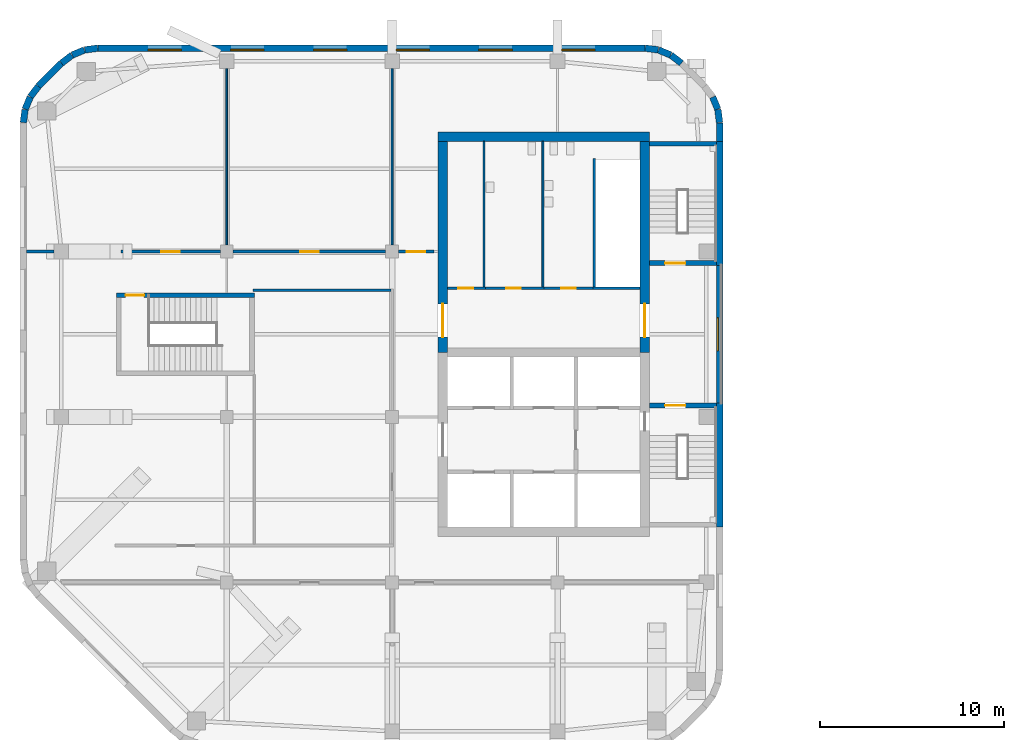
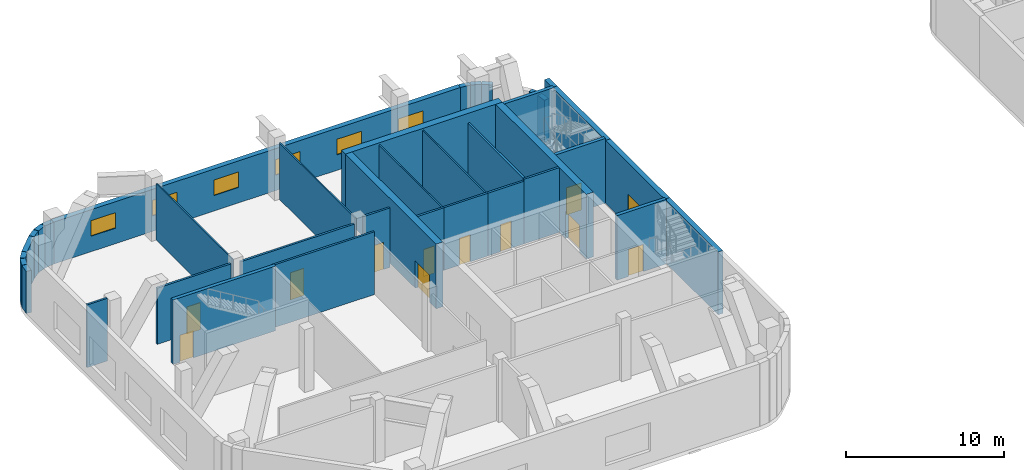
# One storey, part 6 of 14: 38 walls, 11 doors, 7 windows, 18 openings.
"""IFC4 building model written with IfcOpenShell, lengths in metres."""

from ifc_helpers import new_model, si_unit, direction, frame, frame_2d, origin, place, context, subcontext, project, spatial, rectangle, extrude, material, layer, layer_set, type_object, element, fill, save


model = new_model("IFC4")

# Units and contexts
model_context = context("Model", 3, precision=1e-05, world=origin(), true_north=direction((0.0, 1.0)))
body_context = subcontext(model_context, "Body", "Model", "MODEL_VIEW")
ifc_project = project(units=[si_unit("LENGTHUNIT", "METRE"), si_unit("AREAUNIT", "SQUARE_METRE"), si_unit("VOLUMEUNIT", "CUBIC_METRE"), si_unit("PLANEANGLEUNIT", "RADIAN"), si_unit("MASSUNIT", "GRAM", prefix="KILO")], contexts=[model_context])

# Site, building, storey
site_placement = place(None, origin())
site = spatial("IfcSite", under=ifc_project, at=site_placement, CompositionType="ELEMENT")
building_placement = place(site_placement, origin())
building = spatial("IfcBuilding", under=site, at=building_placement, Name="Cinnabar Reach Civic Tower", CompositionType="ELEMENT")
storey_placement = place(building_placement, frame((0.0, 0.0, 95.0)))
storey = spatial("IfcBuildingStorey", under=building, at=storey_placement, Name="L22", CompositionType="ELEMENT", Elevation=95.0)

# Walls
ifc_material_1 = material(Name="Facing brick with insulated backing", Category="masonry")
ifc_layer_1 = layer(ifc_material_1, 0.36)
ifc_layer_set_1 = layer_set([ifc_layer_1], Name="Brick corner wall")
wall_type_1 = type_object("IfcWallType", Name="Brick corner wall", PredefinedType="STANDARD", material=ifc_layer_set_1)
for number, where, z_axis, x_axis, name in (
    (1, (-27.183, 43.0186, 0.0), (0.0, 0.0, 1.0), (-0.13055608231, 0.99144092581, 0.0), "Brick corner wall"),
    (2, (-27.2819, 43.7473, 0.0), (0.0, 0.0, 1.0), (-0.382702709855, 0.923871547278, 0.0), "Brick corner wall"),
):
    element("IfcWall", number, at=place(storey_placement, frame(where, z_axis=z_axis, x_axis=x_axis)), inside=storey, type_object=wall_type_1, Name=name, PredefinedType="STANDARD", context=body_context, shape_type="SweptSolid", body=[
        extrude(rectangle(XDim=0.7131, YDim=0.36, at=frame_2d((0.3565, 0.0))), origin(), (0.0, 0.0, 1.0), 3.25),
    ])
wall_1_placement = place(storey_placement, frame((-29.2587, 46.2498, 0.0), z_axis=(0.0, 0.0, 1.0), x_axis=(-0.793321924995, 0.608802368033, 0.0)))
element("IfcWall", 3, at=wall_1_placement, inside=storey, type_object=wall_type_1, Name="Brick corner wall", PredefinedType="STANDARD", context=body_context, shape_type="SweptSolid", body=[
    extrude(rectangle(XDim=0.7132, YDim=0.36, at=frame_2d((0.3566, 0.0))), origin(), (0.0, 0.0, 1.0), 3.25),
])
for number, where, z_axis, x_axis, name in (
    (4, (-29.8439, 46.6952, 0.0), (0.0, 0.0, 1.0), (-0.923871547278, 0.382702709855, 0.0), "Brick corner wall"),
    (5, (-30.5244, 46.9739, 0.0), (0.0, 0.0, 1.0), (-0.99144092581, 0.13055608231, 0.0), "Brick corner wall"),
    (6, (-61.0186, 47.067, 0.0), (0.0, 0.0, 1.0), (-0.99144092581, -0.13055608231, 0.0), "Brick corner wall"),
    (7, (-61.7473, 46.9681, 0.0), (0.0, 0.0, 1.0), (-0.923871547278, -0.382702709855, 0.0), "Brick corner wall"),
):
    element("IfcWall", number, at=place(storey_placement, frame(where, z_axis=z_axis, x_axis=x_axis)), inside=storey, type_object=wall_type_1, Name=name, PredefinedType="STANDARD", context=body_context, shape_type="SweptSolid", body=[
        extrude(rectangle(XDim=0.7131, YDim=0.36, at=frame_2d((0.3565, 0.0))), origin(), (0.0, 0.0, 1.0), 3.25),
    ])
for number, where, z_axis, x_axis, name in (
    (8, (-62.4255, 46.684, 0.0), (0.0, 0.0, 1.0), (-0.793321924995, -0.608802368033, 0.0), "Brick corner wall"),
    (9, (-64.2498, 44.9913, 0.0), (0.0, 0.0, 1.0), (-0.608802368033, -0.793321924995, 0.0), "Brick corner wall"),
):
    element("IfcWall", number, at=place(storey_placement, frame(where, z_axis=z_axis, x_axis=x_axis)), inside=storey, type_object=wall_type_1, Name=name, PredefinedType="STANDARD", context=body_context, shape_type="SweptSolid", body=[
        extrude(rectangle(XDim=0.7132, YDim=0.36, at=frame_2d((0.3566, 0.0))), origin(), (0.0, 0.0, 1.0), 3.25),
    ])
for number, where, z_axis, x_axis, name in (
    (10, (-64.6952, 44.4061, 0.0), (0.0, 0.0, 1.0), (-0.382702709855, -0.923871547278, 0.0), "Brick corner wall"),
    (11, (-64.9739, 43.7256, 0.0), (0.0, 0.0, 1.0), (-0.13055608231, -0.99144092581, 0.0), "Brick corner wall"),
):
    element("IfcWall", number, at=place(storey_placement, frame(where, z_axis=z_axis, x_axis=x_axis)), inside=storey, type_object=wall_type_1, Name=name, PredefinedType="STANDARD", context=body_context, shape_type="SweptSolid", body=[
        extrude(rectangle(XDim=0.7131, YDim=0.36, at=frame_2d((0.3565, 0.0))), origin(), (0.0, 0.0, 1.0), 3.25),
    ])
ifc_layer_2 = layer(ifc_material_1, 0.36)
ifc_layer_set_2 = layer_set([ifc_layer_2], Name="Brick pier and spandrel wall")
wall_type_2 = type_object("IfcWallType", Name="Brick pier and spandrel wall", PredefinedType="STANDARD", material=ifc_layer_set_2)
wall_2_placement = place(storey_placement, frame((-27.18, 21.0, 0.0), z_axis=(0.0, 0.0, 1.0), x_axis=(0.0, 1.0, 0.0)))
element("IfcWall", 12, at=wall_2_placement, inside=storey, type_object=wall_type_2, Name="Brick facade wall", PredefinedType="STANDARD", context=body_context, shape_type="SweptSolid", body=[
    extrude(rectangle(XDim=6.75, YDim=0.36, at=frame_2d((3.375, 0.0))), origin(), (0.0, 0.0, 1.0), 4.85),
])

# Wall, opening, window
wall_3_placement = place(storey_placement, frame((-27.18, 27.75, 0.0), z_axis=(0.0, 0.0, 1.0), x_axis=(0.0, 1.0, 0.0)))
wall_3 = element("IfcWall", 13, at=wall_3_placement, inside=storey, type_object=wall_type_2, Name="Brick facade wall", PredefinedType="STANDARD", context=body_context, shape_type="SweptSolid", body=[
    extrude(rectangle(XDim=7.5, YDim=0.36, at=frame_2d((3.75, 0.0))), origin(), (0.0, 0.0, 1.0), 4.85),
])
opening_1_placement = place(wall_3_placement, frame((2.85, 0.0, 1.2)))
opening_1 = element("IfcOpeningElement", 14, at=opening_1_placement, cuts=wall_3, Name="Opening W2657", PredefinedType="OPENING", context=body_context, shape_type="SweptSolid", body=[
    extrude(rectangle(XDim=1.8, YDim=1.2, at=frame_2d((0.9, 0.6))), frame((0.0, 0.19, 0.0), z_axis=(0.0, -1.0, 0.0), x_axis=(1.0, 0.0, 0.0)), (0.0, 0.0, 1.0), 0.38),
])
ifc_material_2 = material(Name="Clear double glazing in aluminium frame", Category="aluminium")
window_type = type_object("IfcWindowType", Name="Deep-set window C", PartitioningType="SINGLE_PANEL", PredefinedType="WINDOW", material=ifc_material_2)
window_1_placement = place(opening_1_placement, origin())
window_1 = element("IfcWindow", 15, at=window_1_placement, inside=storey, type_object=window_type, Name="Window east face", OverallHeight=1.2, OverallWidth=1.8, PartitioningType="SINGLE_PANEL", PredefinedType="WINDOW", context=body_context, shape_type="SweptSolid", body=[
    extrude(rectangle(XDim=1.8, YDim=1.2, at=frame_2d((0.9, 0.6))), frame((0.0, 0.13, 0.0), z_axis=(0.0, -1.0, 0.0), x_axis=(1.0, 0.0, 0.0)), (0.0, 0.0, 1.0), 0.06),
])
fill(opening_1, window_1)

# Walls
wall_4_placement = place(storey_placement, frame((-27.18, 35.25, 0.0), z_axis=(0.0, 0.0, 1.0), x_axis=(0.0, 1.0, 0.0)))
element("IfcWall", 16, at=wall_4_placement, inside=storey, type_object=wall_type_2, Name="Brick facade wall", PredefinedType="STANDARD", context=body_context, shape_type="SweptSolid", body=[
    extrude(rectangle(XDim=6.75, YDim=0.36, at=frame_2d((3.375, 0.0))), origin(), (0.0, 0.0, 1.0), 4.85),
])
wall_5_placement = place(storey_placement, frame((-27.18, 42.0, 0.0), z_axis=(0.0, 0.0, 1.0), x_axis=(0.0, 1.0, 0.0)))
element("IfcWall", 17, at=wall_5_placement, inside=storey, type_object=wall_type_2, Name="Brick facade wall", PredefinedType="STANDARD", context=body_context, shape_type="SweptSolid", body=[
    extrude(rectangle(XDim=1.0074, YDim=0.36, at=frame_2d((0.5037, 0.0))), origin(), (0.0, 0.0, 1.0), 4.85),
])

# Wall, openings, windows
wall_6_placement = place(storey_placement, frame((-31.2426, 47.07, 0.0), z_axis=(0.0, 0.0, 1.0), x_axis=(-1.0, 0.0, 0.0)))
wall_6 = element("IfcWall", 18, at=wall_6_placement, inside=storey, type_object=wall_type_2, Name="Brick facade wall", PredefinedType="STANDARD", context=body_context, shape_type="SweptSolid", body=[
    extrude(rectangle(XDim=29.7648, YDim=0.36, at=frame_2d((14.8824, 0.0))), origin(), (0.0, 0.0, 1.0), 3.25),
])
opening_2_placement = place(wall_6_placement, frame((2.7324, 0.0, 1.2)))
opening_2 = element("IfcOpeningElement", 19, at=opening_2_placement, cuts=wall_6, Name="Opening W2658", PredefinedType="OPENING", context=body_context, shape_type="SweptSolid", body=[
    extrude(rectangle(XDim=1.8, YDim=1.2, at=frame_2d((0.9, 0.6))), frame((0.0, 0.19, 0.0), z_axis=(0.0, -1.0, 0.0), x_axis=(1.0, 0.0, 0.0)), (0.0, 0.0, 1.0), 0.38),
])
opening_3_placement = place(wall_6_placement, frame((7.2324, 0.0, 1.2)))
opening_3 = element("IfcOpeningElement", 20, at=opening_3_placement, cuts=wall_6, Name="Opening W2659", PredefinedType="OPENING", context=body_context, shape_type="SweptSolid", body=[
    extrude(rectangle(XDim=1.8, YDim=1.2, at=frame_2d((0.9, 0.6))), frame((0.0, 0.19, 0.0), z_axis=(0.0, -1.0, 0.0), x_axis=(1.0, 0.0, 0.0)), (0.0, 0.0, 1.0), 0.38),
])
opening_4_placement = place(wall_6_placement, frame((11.7324, 0.0, 1.2)))
opening_4 = element("IfcOpeningElement", 21, at=opening_4_placement, cuts=wall_6, Name="Opening W2660", PredefinedType="OPENING", context=body_context, shape_type="SweptSolid", body=[
    extrude(rectangle(XDim=1.8, YDim=1.2, at=frame_2d((0.9, 0.6))), frame((0.0, 0.19, 0.0), z_axis=(0.0, -1.0, 0.0), x_axis=(1.0, 0.0, 0.0)), (0.0, 0.0, 1.0), 0.38),
])
opening_5_placement = place(wall_6_placement, frame((16.2324, 0.0, 1.2)))
opening_5 = element("IfcOpeningElement", 22, at=opening_5_placement, cuts=wall_6, Name="Opening W2661", PredefinedType="OPENING", context=body_context, shape_type="SweptSolid", body=[
    extrude(rectangle(XDim=1.8, YDim=1.2, at=frame_2d((0.9, 0.6))), frame((0.0, 0.19, 0.0), z_axis=(0.0, -1.0, 0.0), x_axis=(1.0, 0.0, 0.0)), (0.0, 0.0, 1.0), 0.38),
])
opening_6_placement = place(wall_6_placement, frame((20.7324, 0.0, 1.2)))
opening_6 = element("IfcOpeningElement", 23, at=opening_6_placement, cuts=wall_6, Name="Opening W2662", PredefinedType="OPENING", context=body_context, shape_type="SweptSolid", body=[
    extrude(rectangle(XDim=1.8, YDim=1.2, at=frame_2d((0.9, 0.6))), frame((0.0, 0.19, 0.0), z_axis=(0.0, -1.0, 0.0), x_axis=(1.0, 0.0, 0.0)), (0.0, 0.0, 1.0), 0.38),
])
opening_7_placement = place(wall_6_placement, frame((25.2324, 0.0, 1.2)))
opening_7 = element("IfcOpeningElement", 24, at=opening_7_placement, cuts=wall_6, Name="Opening W2663", PredefinedType="OPENING", context=body_context, shape_type="SweptSolid", body=[
    extrude(rectangle(XDim=1.8, YDim=1.2, at=frame_2d((0.9, 0.6))), frame((0.0, 0.19, 0.0), z_axis=(0.0, -1.0, 0.0), x_axis=(1.0, 0.0, 0.0)), (0.0, 0.0, 1.0), 0.38),
])
window_2_placement = place(opening_2_placement, origin())
window_2 = element("IfcWindow", 25, at=window_2_placement, inside=storey, type_object=window_type, Name="Window north face", OverallHeight=1.2, OverallWidth=1.8, PartitioningType="SINGLE_PANEL", PredefinedType="WINDOW", context=body_context, shape_type="SweptSolid", body=[
    extrude(rectangle(XDim=1.8, YDim=1.2, at=frame_2d((0.9, 0.6))), frame((0.0, 0.13, 0.0), z_axis=(0.0, -1.0, 0.0), x_axis=(1.0, 0.0, 0.0)), (0.0, 0.0, 1.0), 0.06),
])
fill(opening_2, window_2)
window_3_placement = place(opening_3_placement, origin())
window_3 = element("IfcWindow", 26, at=window_3_placement, inside=storey, type_object=window_type, Name="Window north face", OverallHeight=1.2, OverallWidth=1.8, PartitioningType="SINGLE_PANEL", PredefinedType="WINDOW", context=body_context, shape_type="SweptSolid", body=[
    extrude(rectangle(XDim=1.8, YDim=1.2, at=frame_2d((0.9, 0.6))), frame((0.0, 0.13, 0.0), z_axis=(0.0, -1.0, 0.0), x_axis=(1.0, 0.0, 0.0)), (0.0, 0.0, 1.0), 0.06),
])
fill(opening_3, window_3)
window_4_placement = place(opening_4_placement, origin())
window_4 = element("IfcWindow", 27, at=window_4_placement, inside=storey, type_object=window_type, Name="Window north face", OverallHeight=1.2, OverallWidth=1.8, PartitioningType="SINGLE_PANEL", PredefinedType="WINDOW", context=body_context, shape_type="SweptSolid", body=[
    extrude(rectangle(XDim=1.8, YDim=1.2, at=frame_2d((0.9, 0.6))), frame((0.0, 0.13, 0.0), z_axis=(0.0, -1.0, 0.0), x_axis=(1.0, 0.0, 0.0)), (0.0, 0.0, 1.0), 0.06),
])
fill(opening_4, window_4)
window_5_placement = place(opening_5_placement, origin())
window_5 = element("IfcWindow", 28, at=window_5_placement, inside=storey, type_object=window_type, Name="Window north face", OverallHeight=1.2, OverallWidth=1.8, PartitioningType="SINGLE_PANEL", PredefinedType="WINDOW", context=body_context, shape_type="SweptSolid", body=[
    extrude(rectangle(XDim=1.8, YDim=1.2, at=frame_2d((0.9, 0.6))), frame((0.0, 0.13, 0.0), z_axis=(0.0, -1.0, 0.0), x_axis=(1.0, 0.0, 0.0)), (0.0, 0.0, 1.0), 0.06),
])
fill(opening_5, window_5)
window_6_placement = place(opening_6_placement, origin())
window_6 = element("IfcWindow", 29, at=window_6_placement, inside=storey, type_object=window_type, Name="Window north face", OverallHeight=1.2, OverallWidth=1.8, PartitioningType="SINGLE_PANEL", PredefinedType="WINDOW", context=body_context, shape_type="SweptSolid", body=[
    extrude(rectangle(XDim=1.8, YDim=1.2, at=frame_2d((0.9, 0.6))), frame((0.0, 0.13, 0.0), z_axis=(0.0, -1.0, 0.0), x_axis=(1.0, 0.0, 0.0)), (0.0, 0.0, 1.0), 0.06),
])
fill(opening_6, window_6)
window_7_placement = place(opening_7_placement, origin())
window_7 = element("IfcWindow", 30, at=window_7_placement, inside=storey, type_object=window_type, Name="Window north face", OverallHeight=1.2, OverallWidth=1.8, PartitioningType="SINGLE_PANEL", PredefinedType="WINDOW", context=body_context, shape_type="SweptSolid", body=[
    extrude(rectangle(XDim=1.8, YDim=1.2, at=frame_2d((0.9, 0.6))), frame((0.0, 0.13, 0.0), z_axis=(0.0, -1.0, 0.0), x_axis=(1.0, 0.0, 0.0)), (0.0, 0.0, 1.0), 0.06),
])
fill(opening_7, window_7)

# Walls
wall_7_placement = place(storey_placement, frame((-63.0014, 46.244, 0.0), z_axis=(0.0, 0.0, 1.0), x_axis=(-0.707106781187, -0.707106781187, 0.0)))
element("IfcWall", 31, at=wall_7_placement, inside=storey, type_object=wall_type_2, Name="Brick facade wall", PredefinedType="STANDARD", context=body_context, shape_type="SweptSolid", body=[
    extrude(rectangle(XDim=1.7573, YDim=0.36, at=frame_2d((0.8787, 0.0))), origin(), (0.0, 0.0, 1.0), 3.25),
])
ifc_material_3 = material(Name="Concrete C60", Category="concrete")
ifc_layer_3 = layer(ifc_material_3, 0.5)
ifc_layer_set_3 = layer_set([ifc_layer_3], Name="Core wall 500 EI 180")
wall_type_3 = type_object("IfcWallType", Name="Core wall 500 EI 180", PredefinedType="SOLIDWALL", material=ifc_layer_set_3)
wall_8_placement = place(storey_placement, frame((-31.0, 42.25, 0.0), z_axis=(0.0, 0.0, 1.0), x_axis=(-1.0, 0.0, 0.0)))
element("IfcWall", 32, at=wall_8_placement, inside=storey, type_object=wall_type_3, Name="Core wall T2 L22 N", PredefinedType="SOLIDWALL", context=body_context, shape_type="SweptSolid", body=[
    extrude(rectangle(XDim=11.5, YDim=0.5, at=frame_2d((5.75, 0.0))), origin(), (0.0, 0.0, 1.0), 5.0),
])

# Wall, opening, door
wall_9_placement = place(storey_placement, frame((-31.25, 30.5, 0.0), z_axis=(0.0, 0.0, 1.0), x_axis=(0.0, 1.0, 0.0)))
wall_9 = element("IfcWall", 33, at=wall_9_placement, inside=storey, type_object=wall_type_3, Name="Core wall T2 L22 E2", PredefinedType="SOLIDWALL", context=body_context, shape_type="SweptSolid", body=[
    extrude(rectangle(XDim=11.5, YDim=0.5, at=frame_2d((5.75, 0.0))), origin(), (0.0, 0.0, 1.0), 5.0),
])
opening_8_placement = place(wall_9_placement, frame((0.85, 0.0, 0.0)))
opening_8 = element("IfcOpeningElement", 34, at=opening_8_placement, cuts=wall_9, Name="Opening D6836", PredefinedType="OPENING", context=body_context, shape_type="SweptSolid", body=[
    extrude(rectangle(XDim=1.8, YDim=2.1, at=frame_2d((0.9, 1.05))), frame((0.0, 0.26, 0.0), z_axis=(0.0, -1.0, 0.0), x_axis=(1.0, 0.0, 0.0)), (0.0, 0.0, 1.0), 0.52),
])
ifc_material_4 = material(Name="Steel fire door", Category="steel")
door_type_1 = type_object("IfcDoorType", Name="T2 Double door 1800", OperationType="DOUBLE_DOOR_SINGLE_SWING", PredefinedType="DOOR", material=ifc_material_4)
door_1_placement = place(opening_8_placement, origin())
door_1 = element("IfcDoor", 35, at=door_1_placement, inside=storey, type_object=door_type_1, Name="T2 Double door D6836", OperationType="DOUBLE_DOOR_SINGLE_SWING", OverallHeight=2.1, OverallWidth=1.8, PredefinedType="DOOR", context=body_context, shape_type="SweptSolid", body=[
    extrude(rectangle(XDim=1.8, YDim=2.1, at=frame_2d((0.9, 1.05))), frame((0.0, 0.025, 0.0), z_axis=(0.0, -1.0, 0.0), x_axis=(1.0, 0.0, 0.0)), (0.0, 0.0, 1.0), 0.05),
])
fill(opening_8, door_1)

wall_10_placement = place(storey_placement, frame((-42.25, 42.0, 0.0), z_axis=(0.0, 0.0, 1.0), x_axis=(0.0, -1.0, 0.0)))
wall_10 = element("IfcWall", 36, at=wall_10_placement, inside=storey, type_object=wall_type_3, Name="Core wall T2 L22 W", PredefinedType="SOLIDWALL", context=body_context, shape_type="SweptSolid", body=[
    extrude(rectangle(XDim=11.5, YDim=0.5, at=frame_2d((5.75, 0.0))), origin(), (0.0, 0.0, 1.0), 5.0),
])
opening_9_placement = place(wall_10_placement, frame((8.85, 0.0, 0.0)))
opening_9 = element("IfcOpeningElement", 37, at=opening_9_placement, cuts=wall_10, Name="Opening D6838", PredefinedType="OPENING", context=body_context, shape_type="SweptSolid", body=[
    extrude(rectangle(XDim=1.8, YDim=2.1, at=frame_2d((0.9, 1.05))), frame((0.0, 0.26, 0.0), z_axis=(0.0, -1.0, 0.0), x_axis=(1.0, 0.0, 0.0)), (0.0, 0.0, 1.0), 0.52),
])
door_2_placement = place(opening_9_placement, frame((1.8, 0.0, 0.0), z_axis=(0.0, 0.0, 1.0), x_axis=(-1.0, 0.0, 0.0)))
door_2 = element("IfcDoor", 38, at=door_2_placement, inside=storey, type_object=door_type_1, Name="T2 Double door D6838", OperationType="DOUBLE_DOOR_SINGLE_SWING", OverallHeight=2.1, OverallWidth=1.8, PredefinedType="DOOR", context=body_context, shape_type="SweptSolid", body=[
    extrude(rectangle(XDim=1.8, YDim=2.1, at=frame_2d((0.9, 1.05))), frame((0.0, 0.025, 0.0), z_axis=(0.0, -1.0, 0.0), x_axis=(1.0, 0.0, 0.0)), (0.0, 0.0, 1.0), 0.05),
])
fill(opening_9, door_2)

ifc_material_5 = material(Name="Gypsum board on steel studs, double layer", Category="steel")
ifc_layer_4 = layer(ifc_material_5, 0.15)
ifc_layer_set_4 = layer_set([ifc_layer_4], Name="Corridor wall 150 T2")
wall_type_4 = type_object("IfcWallType", Name="Corridor wall 150 T2", PredefinedType="PARTITIONING", material=ifc_layer_set_4)
wall_11_placement = place(storey_placement, frame((-44.65, 36.0, 0.0), z_axis=(0.0, 0.0, 1.0), x_axis=(1.0, 0.0, 0.0)))
wall_11 = element("IfcWall", 39, at=wall_11_placement, inside=storey, type_object=wall_type_4, Name="Corridor wall 7", PredefinedType="PARTITIONING", context=body_context, shape_type="SweptSolid", body=[
    extrude(rectangle(XDim=1.925, YDim=0.15, at=frame_2d((0.9625, 0.0))), origin(), (0.0, 0.0, 1.0), 4.602),
])
opening_10_placement = place(wall_11_placement, frame((0.45, 0.0, 0.0)))
opening_10 = element("IfcOpeningElement", 40, at=opening_10_placement, cuts=wall_11, Name="Opening D6842", PredefinedType="OPENING", context=body_context, shape_type="SweptSolid", body=[
    extrude(rectangle(XDim=1.0, YDim=2.1, at=frame_2d((0.5, 1.05))), frame((0.0, 0.085, 0.0), z_axis=(0.0, -1.0, 0.0), x_axis=(1.0, 0.0, 0.0)), (0.0, 0.0, 1.0), 0.17),
])
ifc_material_6 = material(Name="Timber door leaf in steel frame", Category="steel")
door_type_2 = type_object("IfcDoorType", Name="Plant room door 1000 x 2100 T2", OperationType="SINGLE_SWING_LEFT", PredefinedType="DOOR", material=ifc_material_6)
door_3_placement = place(opening_10_placement, origin())
door_3 = element("IfcDoor", 41, at=door_3_placement, inside=storey, type_object=door_type_2, Name="Door D6842", OperationType="SINGLE_SWING_LEFT", OverallHeight=2.1, OverallWidth=1.0, PredefinedType="DOOR", context=body_context, shape_type="SweptSolid", body=[
    extrude(rectangle(XDim=1.0, YDim=2.1, at=frame_2d((0.5, 1.05))), frame((0.0, 0.025, 0.0), z_axis=(0.0, -1.0, 0.0), x_axis=(1.0, 0.0, 0.0)), (0.0, 0.0, 1.0), 0.05),
])
fill(opening_10, door_3)

wall_12_placement = place(storey_placement, frame((-53.65, 36.0, 0.0), z_axis=(0.0, 0.0, 1.0), x_axis=(1.0, 0.0, 0.0)))
wall_12 = element("IfcWall", 42, at=wall_12_placement, inside=storey, type_object=wall_type_4, Name="Corridor wall 8", PredefinedType="PARTITIONING", context=body_context, shape_type="SweptSolid", body=[
    extrude(rectangle(XDim=8.3, YDim=0.15, at=frame_2d((4.15, 0.0))), origin(), (0.0, 0.0, 1.0), 4.262),
])
opening_11_placement = place(wall_12_placement, frame((3.65, 0.0, 0.0)))
opening_11 = element("IfcOpeningElement", 43, at=opening_11_placement, cuts=wall_12, Name="Opening D6846", PredefinedType="OPENING", context=body_context, shape_type="SweptSolid", body=[
    extrude(rectangle(XDim=1.0, YDim=2.1, at=frame_2d((0.5, 1.05))), frame((0.0, 0.085, 0.0), z_axis=(0.0, -1.0, 0.0), x_axis=(1.0, 0.0, 0.0)), (0.0, 0.0, 1.0), 0.17),
])
door_4_placement = place(opening_11_placement, origin())
door_4 = element("IfcDoor", 44, at=door_4_placement, inside=storey, type_object=door_type_2, Name="Door D6846", OperationType="SINGLE_SWING_RIGHT", OverallHeight=2.1, OverallWidth=1.0, PredefinedType="DOOR", context=body_context, shape_type="SweptSolid", body=[
    extrude(rectangle(XDim=1.0, YDim=2.1, at=frame_2d((0.5, 1.05))), frame((0.0, 0.025, 0.0), z_axis=(0.0, -1.0, 0.0), x_axis=(1.0, 0.0, 0.0)), (0.0, 0.0, 1.0), 0.05),
])
fill(opening_11, door_4)

wall_13_placement = place(storey_placement, frame((-59.7526, 36.0, 0.0), z_axis=(0.0, 0.0, 1.0), x_axis=(1.0, 0.0, 0.0)))
wall_13 = element("IfcWall", 45, at=wall_13_placement, inside=storey, type_object=wall_type_4, Name="Corridor wall 9", PredefinedType="PARTITIONING", context=body_context, shape_type="SweptSolid", body=[
    extrude(rectangle(XDim=5.4026, YDim=0.15, at=frame_2d((2.7013, 0.0))), origin(), (0.0, 0.0, 1.0), 4.35),
])
opening_12_placement = place(wall_13_placement, frame((2.2, 0.0, 0.0)))
opening_12 = element("IfcOpeningElement", 46, at=opening_12_placement, cuts=wall_13, Name="Opening D6845", PredefinedType="OPENING", context=body_context, shape_type="SweptSolid", body=[
    extrude(rectangle(XDim=1.0, YDim=2.1, at=frame_2d((0.5, 1.05))), frame((0.0, 0.085, 0.0), z_axis=(0.0, -1.0, 0.0), x_axis=(1.0, 0.0, 0.0)), (0.0, 0.0, 1.0), 0.17),
])
door_5_placement = place(opening_12_placement, origin())
door_5 = element("IfcDoor", 47, at=door_5_placement, inside=storey, type_object=door_type_2, Name="Door D6845", OperationType="SINGLE_SWING_LEFT", OverallHeight=2.1, OverallWidth=1.0, PredefinedType="DOOR", context=body_context, shape_type="SweptSolid", body=[
    extrude(rectangle(XDim=1.0, YDim=2.1, at=frame_2d((0.5, 1.05))), frame((0.0, 0.025, 0.0), z_axis=(0.0, -1.0, 0.0), x_axis=(1.0, 0.0, 0.0)), (0.0, 0.0, 1.0), 0.05),
])
fill(opening_12, door_5)

# Walls
wall_14_placement = place(storey_placement, frame((-64.89, 36.0, 0.0), z_axis=(0.0, 0.0, 1.0), x_axis=(1.0, 0.0, 0.0)))
element("IfcWall", 48, at=wall_14_placement, inside=storey, type_object=wall_type_4, Name="Corridor wall 10", PredefinedType="PARTITIONING", context=body_context, shape_type="SweptSolid", body=[
    extrude(rectangle(XDim=1.49, YDim=0.15, at=frame_2d((0.745, 0.0))), origin(), (0.0, 0.0, 1.0), 4.85),
])
wall_15_placement = place(storey_placement, frame((-52.575, 33.9, 0.0), z_axis=(0.0, 0.0, 1.0), x_axis=(1.0, 0.0, 0.0)))
element("IfcWall", 49, at=wall_15_placement, inside=storey, type_object=wall_type_4, Name="Corridor wall 14", PredefinedType="PARTITIONING", context=body_context, shape_type="SweptSolid", body=[
    extrude(rectangle(XDim=7.5, YDim=0.15, at=frame_2d((3.75, 0.0))), origin(), (0.0, 0.0, 1.0), 4.85),
])
ifc_material_7 = material(Name="Gypsum board on steel studs", Category="steel")
ifc_layer_5 = layer(ifc_material_7, 0.1)
ifc_layer_set_5 = layer_set([ifc_layer_5], Name="Partition wall 100 T2")
wall_type_5 = type_object("IfcWallType", Name="Partition wall 100 T2", PredefinedType="PARTITIONING", material=ifc_layer_set_5)
for number, where, z_axis, x_axis, name in (
    (50, (-54.0, 36.35, 0.0), (0.0, 0.0, 1.0), (0.0, 1.0, 0.0), "Partition wall 15"),
    (51, (-45.0, 36.35, 0.0), (0.0, 0.0, 1.0), (0.0, 1.0, 0.0), "Partition wall 16"),
):
    element("IfcWall", number, at=place(storey_placement, frame(where, z_axis=z_axis, x_axis=x_axis)), inside=storey, type_object=wall_type_5, Name=name, PredefinedType="PARTITIONING", context=body_context, shape_type="SweptSolid", body=[
        extrude(rectangle(XDim=9.6, YDim=0.1, at=frame_2d((4.8, 0.0))), origin(), (0.0, 0.0, 1.0), 4.362),
    ])

# Wall, opening, door
ifc_layer_6 = layer(ifc_material_3, 0.25)
ifc_layer_set_6 = layer_set([ifc_layer_6], Name="Stair shaft wall 250 EI 120")
wall_type_6 = type_object("IfcWallType", Name="Stair shaft wall 250 EI 120", PredefinedType="SOLIDWALL", material=ifc_layer_set_6)
wall_16_placement = place(storey_placement, frame((-27.36, 27.625, 0.0), z_axis=(0.0, 0.0, 1.0), x_axis=(-1.0, 0.0, 0.0)))
wall_16 = element("IfcWall", 52, at=wall_16_placement, inside=storey, type_object=wall_type_6, Name="Stair shaft wall T2-S1 L22", PredefinedType="SOLIDWALL", context=body_context, shape_type="SweptSolid", body=[
    extrude(rectangle(XDim=3.64, YDim=0.25, at=frame_2d((1.82, 0.0))), origin(), (0.0, 0.0, 1.0), 5.0),
])
opening_13_placement = place(wall_16_placement, frame((1.69, 0.0, 0.0)))
opening_13 = element("IfcOpeningElement", 53, at=opening_13_placement, cuts=wall_16, Name="Opening D6834", PredefinedType="OPENING", context=body_context, shape_type="SweptSolid", body=[
    extrude(rectangle(XDim=1.1, YDim=2.1, at=frame_2d((0.55, 1.05))), frame((0.0, 0.135, 0.0), z_axis=(0.0, -1.0, 0.0), x_axis=(1.0, 0.0, 0.0)), (0.0, 0.0, 1.0), 0.27),
])
door_type_3 = type_object("IfcDoorType", Name="T2 Stair door 1100", OperationType="SINGLE_SWING_LEFT", PredefinedType="DOOR", material=ifc_material_4)
door_6_placement = place(opening_13_placement, origin())
door_6 = element("IfcDoor", 54, at=door_6_placement, inside=storey, type_object=door_type_3, Name="T2 Stair door D6834", OperationType="SINGLE_SWING_LEFT", OverallHeight=2.1, OverallWidth=1.1, PredefinedType="DOOR", context=body_context, shape_type="SweptSolid", body=[
    extrude(rectangle(XDim=1.1, YDim=2.1, at=frame_2d((0.55, 1.05))), frame((0.0, 0.025, 0.0), z_axis=(0.0, -1.0, 0.0), x_axis=(1.0, 0.0, 0.0)), (0.0, 0.0, 1.0), 0.05),
])
fill(opening_13, door_6)

wall_17_placement = place(storey_placement, frame((-31.0, 35.375, 0.0), z_axis=(0.0, 0.0, 1.0), x_axis=(1.0, 0.0, 0.0)))
wall_17 = element("IfcWall", 55, at=wall_17_placement, inside=storey, type_object=wall_type_6, Name="Stair shaft wall T2-S2 L22", PredefinedType="SOLIDWALL", context=body_context, shape_type="SweptSolid", body=[
    extrude(rectangle(XDim=3.64, YDim=0.25, at=frame_2d((1.82, 0.0))), origin(), (0.0, 0.0, 1.0), 5.0),
])
opening_14_placement = place(wall_17_placement, frame((0.85, 0.0, 0.0)))
opening_14 = element("IfcOpeningElement", 56, at=opening_14_placement, cuts=wall_17, Name="Opening D6835", PredefinedType="OPENING", context=body_context, shape_type="SweptSolid", body=[
    extrude(rectangle(XDim=1.1, YDim=2.1, at=frame_2d((0.55, 1.05))), frame((0.0, 0.135, 0.0), z_axis=(0.0, -1.0, 0.0), x_axis=(1.0, 0.0, 0.0)), (0.0, 0.0, 1.0), 0.27),
])
door_7_placement = place(opening_14_placement, origin())
door_7 = element("IfcDoor", 57, at=door_7_placement, inside=storey, type_object=door_type_3, Name="T2 Stair door D6835", OperationType="SINGLE_SWING_LEFT", OverallHeight=2.1, OverallWidth=1.1, PredefinedType="DOOR", context=body_context, shape_type="SweptSolid", body=[
    extrude(rectangle(XDim=1.1, YDim=2.1, at=frame_2d((0.55, 1.05))), frame((0.0, 0.025, 0.0), z_axis=(0.0, -1.0, 0.0), x_axis=(1.0, 0.0, 0.0)), (0.0, 0.0, 1.0), 0.05),
])
fill(opening_14, door_7)

# Wall
wall_18_placement = place(storey_placement, frame((-27.36, 41.875, 0.0), z_axis=(0.0, 0.0, 1.0), x_axis=(-1.0, 0.0, 0.0)))
element("IfcWall", 58, at=wall_18_placement, inside=storey, type_object=wall_type_6, Name="Stair shaft wall T2-S2 L22", PredefinedType="SOLIDWALL", context=body_context, shape_type="SweptSolid", body=[
    extrude(rectangle(XDim=3.64, YDim=0.25, at=frame_2d((1.82, 0.0))), origin(), (0.0, 0.0, 1.0), 5.0),
])

# Wall, opening, door
wall_19_placement = place(storey_placement, frame((-52.5, 33.625, 0.0), z_axis=(0.0, 0.0, 1.0), x_axis=(-1.0, 0.0, 0.0)))
wall_19 = element("IfcWall", 59, at=wall_19_placement, inside=storey, type_object=wall_type_6, Name="Stair shaft wall T2-S3 L22", PredefinedType="SOLIDWALL", context=body_context, shape_type="SweptSolid", body=[
    extrude(rectangle(XDim=7.5, YDim=0.25, at=frame_2d((3.75, 0.0))), origin(), (0.0, 0.0, 1.0), 5.0),
])
opening_15_placement = place(wall_19_placement, frame((6.0, 0.0, 0.0)))
opening_15 = element("IfcOpeningElement", 60, at=opening_15_placement, cuts=wall_19, Name="Opening D6849", PredefinedType="OPENING", context=body_context, shape_type="SweptSolid", body=[
    extrude(rectangle(XDim=1.0, YDim=2.1, at=frame_2d((0.5, 1.05))), frame((0.0, 0.135, 0.0), z_axis=(0.0, -1.0, 0.0), x_axis=(1.0, 0.0, 0.0)), (0.0, 0.0, 1.0), 0.27),
])
door_type_4 = type_object("IfcDoorType", Name="Stair door 1000 x 2100 T2", OperationType="SINGLE_SWING_LEFT", PredefinedType="DOOR", material=ifc_material_6)
door_8_placement = place(opening_15_placement, origin())
door_8 = element("IfcDoor", 61, at=door_8_placement, inside=storey, type_object=door_type_4, Name="Door D6849", OperationType="SINGLE_SWING_RIGHT", OverallHeight=2.1, OverallWidth=1.0, PredefinedType="DOOR", context=body_context, shape_type="SweptSolid", body=[
    extrude(rectangle(XDim=1.0, YDim=2.1, at=frame_2d((0.5, 1.05))), frame((0.0, 0.025, 0.0), z_axis=(0.0, -1.0, 0.0), x_axis=(1.0, 0.0, 0.0)), (0.0, 0.0, 1.0), 0.05),
])
fill(opening_15, door_8)

ifc_material_8 = material(Name="Masonry block partition", Category="masonry")
ifc_layer_7 = layer(ifc_material_8, 0.15)
ifc_layer_set_7 = layer_set([ifc_layer_7], Name="T2 Corridor wall 150")
wall_type_7 = type_object("IfcWallType", Name="T2 Corridor wall 150", PredefinedType="PARTITIONING", material=ifc_layer_set_7)
wall_20_placement = place(storey_placement, frame((-39.925, 34.0, 0.0), z_axis=(0.0, 0.0, 1.0), x_axis=(-1.0, 0.0, 0.0)))
wall_20 = element("IfcWall", 62, at=wall_20_placement, inside=storey, type_object=wall_type_7, Name="T2 Corridor wall L22 014", PredefinedType="PARTITIONING", context=body_context, shape_type="SweptSolid", body=[
    extrude(rectangle(XDim=2.075, YDim=0.15, at=frame_2d((1.0375, 0.0))), origin(), (0.0, 0.0, 1.0), 4.85),
])
opening_16_placement = place(wall_20_placement, frame((0.675, 0.0, 0.0)))
opening_16 = element("IfcOpeningElement", 63, at=opening_16_placement, cuts=wall_20, Name="Opening D6839", PredefinedType="OPENING", context=body_context, shape_type="SweptSolid", body=[
    extrude(rectangle(XDim=0.8, YDim=2.1, at=frame_2d((0.4, 1.05))), frame((0.0, 0.085, 0.0), z_axis=(0.0, -1.0, 0.0), x_axis=(1.0, 0.0, 0.0)), (0.0, 0.0, 1.0), 0.17),
])
ifc_material_9 = material(Name="Timber door leaf", Category="wood")
door_type_5 = type_object("IfcDoorType", Name="T2 Bathroom door 800", OperationType="SINGLE_SWING_LEFT", PredefinedType="DOOR", material=ifc_material_9)
door_9_placement = place(opening_16_placement, frame((0.8, 0.0, 0.0), z_axis=(0.0, 0.0, 1.0), x_axis=(-1.0, 0.0, 0.0)))
door_9 = element("IfcDoor", 64, at=door_9_placement, inside=storey, type_object=door_type_5, Name="T2 Bathroom door D6839", OperationType="SINGLE_SWING_RIGHT", OverallHeight=2.1, OverallWidth=0.8, PredefinedType="DOOR", context=body_context, shape_type="SweptSolid", body=[
    extrude(rectangle(XDim=0.8, YDim=2.1, at=frame_2d((0.4, 1.05))), frame((0.0, 0.025, 0.0), z_axis=(0.0, -1.0, 0.0), x_axis=(1.0, 0.0, 0.0)), (0.0, 0.0, 1.0), 0.05),
])
fill(opening_16, door_9)

wall_21_placement = place(storey_placement, frame((-36.725, 34.0, 0.0), z_axis=(0.0, 0.0, 1.0), x_axis=(-1.0, 0.0, 0.0)))
wall_21 = element("IfcWall", 65, at=wall_21_placement, inside=storey, type_object=wall_type_7, Name="T2 Corridor wall L22 015", PredefinedType="PARTITIONING", context=body_context, shape_type="SweptSolid", body=[
    extrude(rectangle(XDim=3.2, YDim=0.15, at=frame_2d((1.6, 0.0))), origin(), (0.0, 0.0, 1.0), 4.85),
])
opening_17_placement = place(wall_21_placement, frame((1.275, 0.0, 0.0)))
opening_17 = element("IfcOpeningElement", 66, at=opening_17_placement, cuts=wall_21, Name="Opening D6840", PredefinedType="OPENING", context=body_context, shape_type="SweptSolid", body=[
    extrude(rectangle(XDim=0.8, YDim=2.1, at=frame_2d((0.4, 1.05))), frame((0.0, 0.085, 0.0), z_axis=(0.0, -1.0, 0.0), x_axis=(1.0, 0.0, 0.0)), (0.0, 0.0, 1.0), 0.17),
])
door_10_placement = place(opening_17_placement, frame((0.8, 0.0, 0.0), z_axis=(0.0, 0.0, 1.0), x_axis=(-1.0, 0.0, 0.0)))
door_10 = element("IfcDoor", 67, at=door_10_placement, inside=storey, type_object=door_type_5, Name="T2 Bathroom door D6840", OperationType="SINGLE_SWING_RIGHT", OverallHeight=2.1, OverallWidth=0.8, PredefinedType="DOOR", context=body_context, shape_type="SweptSolid", body=[
    extrude(rectangle(XDim=0.8, YDim=2.1, at=frame_2d((0.4, 1.05))), frame((0.0, 0.025, 0.0), z_axis=(0.0, -1.0, 0.0), x_axis=(1.0, 0.0, 0.0)), (0.0, 0.0, 1.0), 0.05),
])
fill(opening_17, door_10)

wall_22_placement = place(storey_placement, frame((-34.075, 34.0, 0.0), z_axis=(0.0, 0.0, 1.0), x_axis=(-1.0, 0.0, 0.0)))
wall_22 = element("IfcWall", 68, at=wall_22_placement, inside=storey, type_object=wall_type_7, Name="T2 Corridor wall L22 016", PredefinedType="PARTITIONING", context=body_context, shape_type="SweptSolid", body=[
    extrude(rectangle(XDim=2.65, YDim=0.15, at=frame_2d((1.325, 0.0))), origin(), (0.0, 0.0, 1.0), 4.85),
])
opening_18_placement = place(wall_22_placement, frame((0.925, 0.0, 0.0)))
opening_18 = element("IfcOpeningElement", 69, at=opening_18_placement, cuts=wall_22, Name="Opening D6841", PredefinedType="OPENING", context=body_context, shape_type="SweptSolid", body=[
    extrude(rectangle(XDim=0.8, YDim=2.1, at=frame_2d((0.4, 1.05))), frame((0.0, 0.085, 0.0), z_axis=(0.0, -1.0, 0.0), x_axis=(1.0, 0.0, 0.0)), (0.0, 0.0, 1.0), 0.17),
])
door_11_placement = place(opening_18_placement, frame((0.8, 0.0, 0.0), z_axis=(0.0, 0.0, 1.0), x_axis=(-1.0, 0.0, 0.0)))
door_11 = element("IfcDoor", 70, at=door_11_placement, inside=storey, type_object=door_type_5, Name="T2 Bathroom door D6841", OperationType="SINGLE_SWING_RIGHT", OverallHeight=2.1, OverallWidth=0.8, PredefinedType="DOOR", context=body_context, shape_type="SweptSolid", body=[
    extrude(rectangle(XDim=0.8, YDim=2.1, at=frame_2d((0.4, 1.05))), frame((0.0, 0.025, 0.0), z_axis=(0.0, -1.0, 0.0), x_axis=(1.0, 0.0, 0.0)), (0.0, 0.0, 1.0), 0.05),
])
fill(opening_18, door_11)

# Walls
ifc_material_10 = material(Name="Gypsum board partition")
ifc_layer_8 = layer(ifc_material_10, 0.1)
ifc_layer_set_8 = layer_set([ifc_layer_8], Name="T2 Internal partition 100")
wall_type_8 = type_object("IfcWallType", Name="T2 Internal partition 100", PredefinedType="PARTITIONING", material=ifc_layer_set_8)
for number, where, z_axis, x_axis, name in (
    (71, (-40.0, 34.075, 0.0), (0.0, 0.0, 1.0), (0.0, 1.0, 0.0), "T2 Internal partition L22 017"),
    (72, (-36.8, 34.075, 0.0), (0.0, 0.0, 1.0), (0.0, 1.0, 0.0), "T2 Internal partition L22 018"),
):
    element("IfcWall", number, at=place(storey_placement, frame(where, z_axis=z_axis, x_axis=x_axis)), inside=storey, type_object=wall_type_8, Name=name, PredefinedType="PARTITIONING", context=body_context, shape_type="SweptSolid", body=[
        extrude(rectangle(XDim=7.925, YDim=0.1, at=frame_2d((3.9625, 0.0))), origin(), (0.0, 0.0, 1.0), 4.85),
    ])
ifc_material_11 = material(Name="Concrete C40", Category="concrete")
ifc_layer_9 = layer(ifc_material_11, 0.15)
ifc_layer_set_9 = layer_set([ifc_layer_9], Name="T2 Riser wall 150")
wall_type_9 = type_object("IfcWallType", Name="T2 Riser wall 150", PredefinedType="SOLIDWALL", material=ifc_layer_set_9)
wall_23_placement = place(storey_placement, frame((-34.075, 34.0, 0.0), z_axis=(0.0, 0.0, 1.0), x_axis=(1.0, 0.0, 0.0)))
element("IfcWall", 73, at=wall_23_placement, inside=storey, type_object=wall_type_9, Name="T2 Riser wall L22 012", PredefinedType="SOLIDWALL", context=body_context, shape_type="SweptSolid", body=[
    extrude(rectangle(XDim=2.575, YDim=0.15, at=frame_2d((1.2875, 0.0))), origin(), (0.0, 0.0, 1.0), 5.0),
])
wall_24_placement = place(storey_placement, frame((-34.0, 41.075, 0.0), z_axis=(0.0, 0.0, 1.0), x_axis=(0.0, -1.0, 0.0)))
element("IfcWall", 74, at=wall_24_placement, inside=storey, type_object=wall_type_9, Name="T2 Riser wall L22 013", PredefinedType="SOLIDWALL", context=body_context, shape_type="SweptSolid", body=[
    extrude(rectangle(XDim=7.0, YDim=0.15, at=frame_2d((3.5, 0.0))), origin(), (0.0, 0.0, 1.0), 5.0),
])

save(model, "model.ifc")
